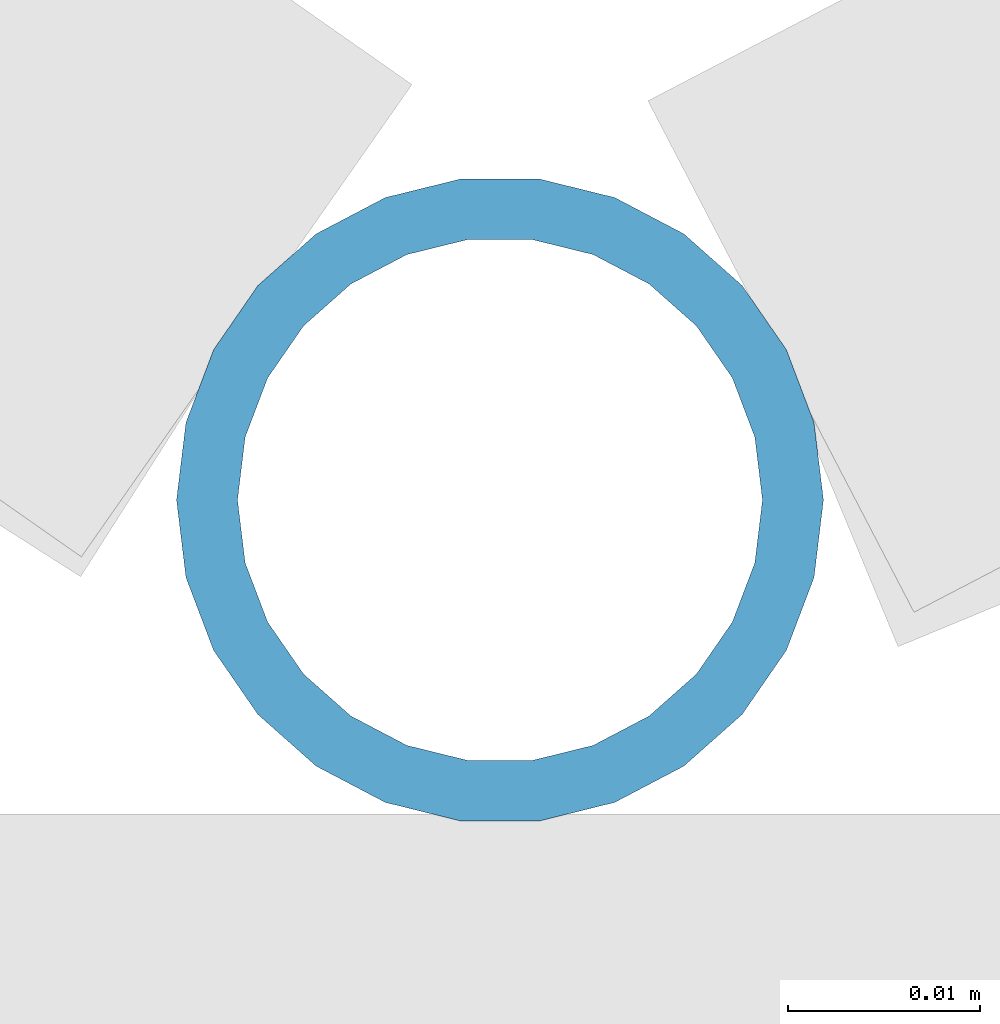
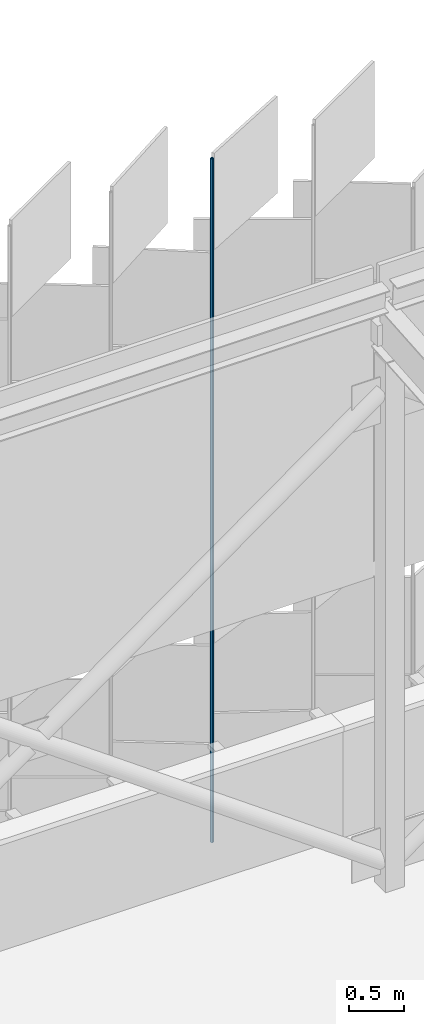
# One storey, part 374 of 483: 1 discrete accessory.
"""IFC4 building model written with IfcOpenShell, lengths in metres."""

from ifc_helpers import new_model, si_unit, direction, frame, origin, origin_2d, place, context, subcontext, project, spatial, hollow_circle, extrude, material, material_profile, profile_set, type_object, element, save


model = new_model("IFC4")

# Units and contexts
model_context = context("Model", 3, precision=1e-05, world=origin(), true_north=direction((0.0, 1.0)))
body_context = subcontext(model_context, "Body", "Model", "MODEL_VIEW")
ifc_project = project(units=[si_unit("LENGTHUNIT", "METRE"), si_unit("AREAUNIT", "SQUARE_METRE"), si_unit("VOLUMEUNIT", "CUBIC_METRE"), si_unit("PLANEANGLEUNIT", "RADIAN"), si_unit("MASSUNIT", "GRAM", prefix="KILO")], contexts=[model_context])

# Site, building, storey
site_placement = place(None, origin())
site = spatial("IfcSite", under=ifc_project, at=site_placement, CompositionType="ELEMENT")
building_placement = place(site_placement, origin())
building = spatial("IfcBuilding", under=site, at=building_placement, Name="Parallax Yard Mobility Hub", CompositionType="ELEMENT")
storey_placement = place(building_placement, frame((0.0, 0.0, 13.199951171875)))
storey = spatial("IfcBuildingStorey", under=building, at=storey_placement, Name="L04", CompositionType="ELEMENT", Elevation=13.199951171875)

# Discrete accessory
ifc_material = material(Name="Steel ASTM A500 Gr C, hot-dip galvanised", Category="steel")
ifc_material_profile = material_profile(ifc_material, hollow_circle(Radius=0.016845703125, WallThickness=0.003173828125, at=origin_2d()), Name="CHS 33.7x3.2")
ifc_profile_set = profile_set([ifc_material_profile], Name="Steel ASTM A500 Gr C, hot-dip galvanised")
discrete_accessory_type = type_object("IfcDiscreteAccessoryType", Name="Hinge post CHS 33.7x3.2", PredefinedType="BRACKET", material=ifc_profile_set)
discrete_accessory_placement = place(storey_placement, frame((156.428466796875, 142.800048828125, 0.0), z_axis=(0.0, 0.0, 1.0), x_axis=(1.0, 0.0, 0.0)))
element("IfcDiscreteAccessory", 1, at=discrete_accessory_placement, inside=storey, type_object=discrete_accessory_type, Name="Hinge post bay 53.2 level L04", PredefinedType="BRACKET", context=body_context, shape_type="SweptSolid", body=[
    extrude(hollow_circle(Radius=0.016845703125, WallThickness=0.003173828125, at=origin_2d()), origin(), (0.0, 0.0, 1.0), 7.650146484375),
])

save(model, "model.ifc")
